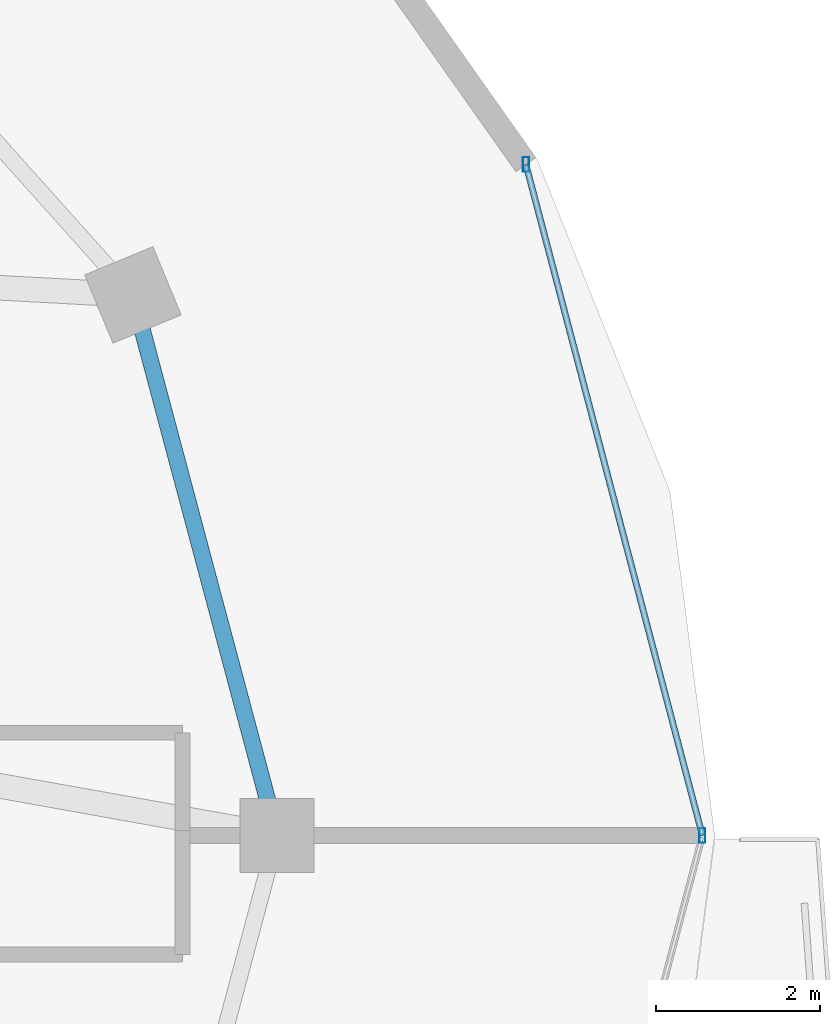
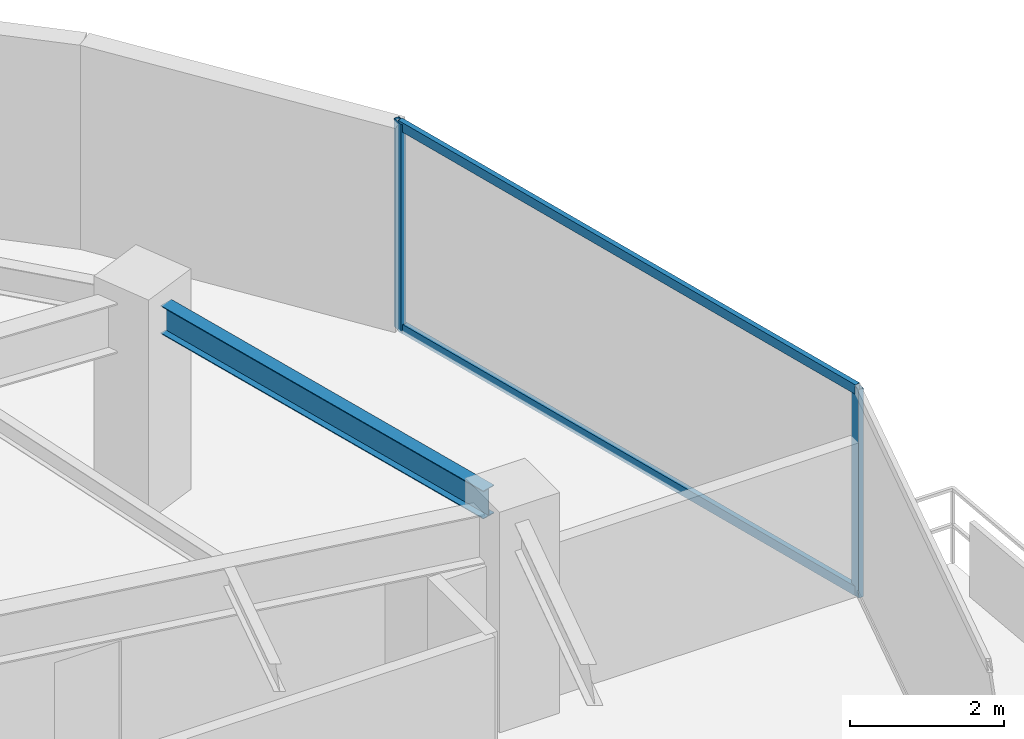
# One storey, part 15 of 31: 4 members, 1 beam, 1 element without a shape of its own.
"""IFC4 building model written with IfcOpenShell, lengths in metres."""

import ifcopenshell
import ifcopenshell.guid

model = None  # the IFC model being written
_history = None  # IfcOwnerHistory: only IFC2X3 demands one
_inside = {}  # id of a spatial element -> (the spatial element, [elements in it])
_under = {}  # id of a project, library or spatial element -> (it, [spatial elements below it])
_declared = {}  # id of a project -> (the project, [libraries it declares])
_typed = {}  # id of a type object -> (the type object, [elements of that type])
_made_of = {}  # id of a material, layer set ... -> (it, [elements and type objects made of it])


def new_model(schema):
    """Start an empty IFC model of exactly this schema.

    Asked for "IFC4X3", IfcOpenShell would pick the latest addendum, in which some entities
    have other attributes; the version numbers below select the first issue.
    IFC2X3 requires an IfcOwnerHistory on every rooted entity: one is made here for all.
    """
    global model, _history
    if schema == "IFC4X3":
        model = ifcopenshell.file(schema_version=(4, 3, 0, 0))
    else:
        model = ifcopenshell.file(schema=schema)
    _inside.clear()
    _under.clear()
    _declared.clear()
    _typed.clear()
    _made_of.clear()
    _history = None
    if model.schema == "IFC2X3":
        org = make("IfcOrganization", Name="unknown")
        user = make(
            "IfcPersonAndOrganization",
            ThePerson=make("IfcPerson", FamilyName="unknown"),
            TheOrganization=org,
        )
        app = make(
            "IfcApplication",
            ApplicationDeveloper=org,
            Version="unknown",
            ApplicationFullName="unknown",
            ApplicationIdentifier="unknown",
        )
        _history = make(
            "IfcOwnerHistory",
            OwningUser=user,
            OwningApplication=app,
            ChangeAction="ADDED",
            CreationDate=0,
        )
    return model


def make(cls, **values):
    """One entity of the class cls with the attributes given. An attribute that is None is left unset."""
    return model.create_entity(
        cls, **{name: value for name, value in values.items() if value is not None}
    )


def rooted(cls, **values):
    """An entity with a GlobalId (a new one), such as an element, a storey or a relation."""
    return make(cls, GlobalId=ifcopenshell.guid.new(), OwnerHistory=_history, **values)


def si_unit(unit_type, name, prefix=None):
    """IfcSIUnit, for example si_unit("LENGTHUNIT", "METRE", prefix="MILLI")."""
    return make("IfcSIUnit", UnitType=unit_type, Prefix=prefix, Name=name)


def assignment(units):
    """IfcUnitAssignment: the units of a project."""
    return None if units is None else make("IfcUnitAssignment", Units=units)


def point(xyz):
    """IfcCartesianPoint."""
    return None if xyz is None else make("IfcCartesianPoint", Coordinates=xyz)


def direction(xyz):
    """IfcDirection."""
    return None if xyz is None else make("IfcDirection", DirectionRatios=xyz)


def frame(location, z_axis=None, x_axis=None):
    """IfcAxis2Placement3D, a coordinate frame: its origin and axes. An axis left out is left unset."""
    return make(
        "IfcAxis2Placement3D",
        Location=point(location),
        Axis=direction(z_axis),
        RefDirection=direction(x_axis),
    )


def frame_2d(location, x_axis=None):
    """IfcAxis2Placement2D, a coordinate frame in the plane: its origin and x axis."""
    return make(
        "IfcAxis2Placement2D", Location=point(location), RefDirection=direction(x_axis)
    )


def origin():
    """The frame at (0, 0, 0) with its axes left unset."""
    return frame((0.0, 0.0, 0.0))


def origin_2d():
    """The frame at (0, 0) in the plane with its x axis left unset."""
    return frame_2d((0.0, 0.0))


def place(relative_to, where):
    """IfcLocalPlacement: puts the frame where relative to a parent placement (None: the world)."""
    return make(
        "IfcLocalPlacement", PlacementRelTo=relative_to, RelativePlacement=where
    )


def context(
    kind, dimensions, precision=None, world=None, true_north=None, identifier=None
):
    """IfcGeometricRepresentationContext, for example the 3D "Model" context."""
    return make(
        "IfcGeometricRepresentationContext",
        ContextIdentifier=identifier,
        ContextType=kind,
        CoordinateSpaceDimension=dimensions,
        Precision=precision,
        WorldCoordinateSystem=world,
        TrueNorth=true_north,
    )


def subcontext(parent, identifier, kind, view, scale=None):
    """IfcGeometricRepresentationSubContext, for example "Body" below "Model"."""
    return make(
        "IfcGeometricRepresentationSubContext",
        ContextIdentifier=identifier,
        ContextType=kind,
        ParentContext=parent,
        TargetScale=scale,
        TargetView=view,
    )


def project(units=None, contexts=None):
    """IfcProject with its units and contexts."""
    return rooted(
        "IfcProject",
        Name="project",
        RepresentationContexts=contexts,
        UnitsInContext=assignment(units),
    )


def spatial(cls, under=None, at=None, **own):
    """A site, building, storey or space (cls), placed at a placement, below another one or the project."""
    s = rooted(cls, ObjectPlacement=at, **own)
    if under is not None:
        _under.setdefault(under.id(), (under, []))[1].append(s)
    return s


def profile(cls, at=None, kind="AREA", **sizes):
    """A parametric profile (cls). Its sizes go by their IFC names, for example OverallWidth=200.0."""
    return make(cls, ProfileType=kind, Position=at, **sizes)


def hollow_rectangle(**sizes):
    """IfcRectangleHollowProfileDef."""
    return profile("IfcRectangleHollowProfileDef", **sizes)


def i_section(**sizes):
    """IfcIShapeProfileDef."""
    return profile("IfcIShapeProfileDef", **sizes)


def extrude(swept, where, along, depth):
    """IfcExtrudedAreaSolid: the profile swept, set in the frame where, extruded along a direction by depth."""
    return make(
        "IfcExtrudedAreaSolid",
        SweptArea=swept,
        Position=where,
        ExtrudedDirection=direction(along),
        Depth=depth,
    )


def shape(context_of_items, identifier, shape_type, items):
    """IfcShapeRepresentation: the items that make up one representation, for example the "Body"."""
    return make(
        "IfcShapeRepresentation",
        ContextOfItems=context_of_items,
        RepresentationIdentifier=identifier,
        RepresentationType=shape_type,
        Items=items,
    )


def material(Name=None, Category=None):
    """IfcMaterial."""
    return make("IfcMaterial", Name=Name, Category=Category)


def material_profile(
    of_material, cross_section, Name=None, Category=None, Priority=None
):
    """IfcMaterialProfile: a cross section and its material."""
    return make(
        "IfcMaterialProfile",
        Name=Name,
        Material=of_material,
        Profile=cross_section,
        Priority=Priority,
        Category=Category,
    )


def profile_set(profiles, Name=None, composite=None):
    """IfcMaterialProfileSet."""
    return make(
        "IfcMaterialProfileSet",
        Name=Name,
        MaterialProfiles=profiles,
        CompositeProfile=composite,
    )


def made_of(thing, what):
    """Note that an element or type object is made of a material, layer set ...; save() writes the relation."""
    if what is not None:
        _made_of.setdefault(what.id(), (what, []))[1].append(thing)
    return thing


def type_object(cls, material=None, **own):
    """A type object (cls), such as IfcWallType, which elements share."""
    return made_of(rooted(cls, **own), material)


def element(
    cls,
    number,
    at=None,
    inside=None,
    cuts=None,
    type_object=None,
    material=None,
    context=None,
    identifier="Body",
    shape_type=None,
    held_by="IfcProductDefinitionShape",
    body=None,
    shapes=None,
    **own,
):
    """One element of the class cls, such as IfcWall. Its Tag is "e" and its number.

    at: its placement. inside: the storey or other place that contains it. cuts: it is an
    opening in that element (IfcRelVoidsElement). A single representation is given by context,
    identifier, shape_type and body (its items); several are given by shapes. held_by: the class
    of the entity that holds the representations. save() writes the other relations.
    """
    e = rooted(cls, Tag="e%d" % number, ObjectPlacement=at, **own)
    if body is not None:
        shapes = [shape(context, identifier, shape_type, body)]
    if shapes is not None:
        e.Representation = make(held_by, Representations=shapes)
    if inside is not None:
        _inside.setdefault(inside.id(), (inside, []))[1].append(e)
    if cuts is not None:
        rooted(
            "IfcRelVoidsElement", RelatingBuildingElement=cuts, RelatedOpeningElement=e
        )
    if type_object is not None:
        _typed.setdefault(type_object.id(), (type_object, []))[1].append(e)
    return made_of(e, material)


def aggregate(whole, parts):
    """IfcRelAggregates: a whole, such as a stair, and the parts it consists of."""
    return rooted("IfcRelAggregates", RelatingObject=whole, RelatedObjects=parts)


def save(model, path):
    """Write the relations noted so far, then the file.

    IfcRelAggregates (storeys below a building ...), IfcRelContainedInSpatialStructure (elements
    in a storey), IfcRelDefinesByType, IfcRelAssociatesMaterial and IfcRelDeclares: one each for
    every whole, place, type object, material and project.
    """
    for whole, parts in _under.values():
        aggregate(whole, parts)
    for where, things in _inside.values():
        rooted(
            "IfcRelContainedInSpatialStructure",
            RelatedElements=things,
            RelatingStructure=where,
        )
    for kind, things in _typed.values():
        rooted("IfcRelDefinesByType", RelatedObjects=things, RelatingType=kind)
    for what, things in _made_of.values():
        rooted("IfcRelAssociatesMaterial", RelatedObjects=things, RelatingMaterial=what)
    for by, libraries in _declared.values():
        rooted("IfcRelDeclares", RelatingContext=by, RelatedDefinitions=libraries)
    model.write(path)


model = new_model("IFC4")

# Units and contexts
model_context = context("Model", 3, precision=1e-05, world=origin(), true_north=direction((0.0, 1.0)))
body_context = subcontext(model_context, "Body", "Model", "MODEL_VIEW")
ifc_project = project(units=[si_unit("LENGTHUNIT", "METRE"), si_unit("AREAUNIT", "SQUARE_METRE"), si_unit("VOLUMEUNIT", "CUBIC_METRE"), si_unit("PLANEANGLEUNIT", "RADIAN"), si_unit("MASSUNIT", "GRAM", prefix="KILO")], contexts=[model_context])

# Site, building, storey
site_placement = place(None, origin())
site = spatial("IfcSite", under=ifc_project, at=site_placement, CompositionType="ELEMENT")
building_placement = place(site_placement, origin())
building = spatial("IfcBuilding", under=site, at=building_placement, Name="Vorneva Point Tower", CompositionType="ELEMENT")
storey_placement = place(building_placement, frame((0.0, 0.0, 193.10009765625)))
storey = spatial("IfcBuildingStorey", under=building, at=storey_placement, Name="L52", CompositionType="ELEMENT", Elevation=193.10009765625)

# Beam
ifc_material_1 = material(Name="Steel S355", Category="steel")
ifc_material_profile_1 = material_profile(ifc_material_1, i_section(OverallWidth=0.198974609375, OverallDepth=0.446044921875, WebThickness=0.008056640625, FlangeThickness=0.011962890625, at=origin_2d()), Name="45B1")
ifc_profile_set_1 = profile_set([ifc_material_profile_1], Name="Steel S355")
beam_type = type_object("IfcBeamType", Name="BM-SPN-45B1", PredefinedType="SPANDREL", material=ifc_profile_set_1)
beam_placement = place(storey_placement, frame((60.93798828125, 26.42041015625, 3.016845703125), z_axis=(-0.257578258003, 0.966257440336, 0.0), x_axis=(-0.966257440336, -0.257578258003, 0.0)))
element("IfcBeam", 1, at=beam_placement, inside=storey, type_object=beam_type, Name="L52 Perimeter Spandrel Ring Beam 01", PredefinedType="SPANDREL", context=body_context, shape_type="SweptSolid", body=[
    extrude(i_section(OverallWidth=0.198974609375, OverallDepth=0.446044921875, WebThickness=0.008056640625, FlangeThickness=0.011962890625, at=origin_2d()), origin(), (0.0, 0.0, 1.0), 5.94189453125),
])

# Curtain wall, members
ifc_material_2 = material(Name="Pale anodised aluminium", Category="aluminium")
curtain_wall_type = type_object("IfcCurtainWallType", Name="CW-RES-SYS", PredefinedType="NOTDEFINED", material=ifc_material_2)
curtain_wall_placement = place(storey_placement, origin())
curtain_wall = element("IfcCurtainWall", 2, at=curtain_wall_placement, inside=storey, type_object=curtain_wall_type, Name="L52 Unitised Curtain Wall CW-L52-R01", PredefinedType="NOTDEFINED")
ifc_material_profile_2 = material_profile(ifc_material_2, hollow_rectangle(XDim=0.074951171875, YDim=0.179931640625, WallThickness=0.00390625, at=origin_2d()), Name="AL-MUL 180x75x4")
ifc_profile_set_2 = profile_set([ifc_material_profile_2], Name="Pale anodised aluminium")
member_type_1 = type_object("IfcMemberType", Name="CW-MUL-180", PredefinedType="MULLION", material=ifc_profile_set_2)
member_1_placement = place(storey_placement, frame((66.22998046875, 26.0, -0.0400390625), z_axis=(0.0, 0.0, 1.0), x_axis=(1.0, 0.0, 0.0)))
member_1 = element("IfcMember", 3, at=member_1_placement, type_object=member_type_1, Name="CW-L52-R01 Mullion 02", PredefinedType="MULLION", context=body_context, shape_type="SweptSolid", body=[
    extrude(hollow_rectangle(XDim=0.074951171875, YDim=0.179931640625, WallThickness=0.00390625, at=origin_2d()), origin(), (0.0, 0.0, 1.0), 3.31005859375),
])
member_2_placement = place(storey_placement, frame((64.0810546875, 34.17041015625, -0.0400390625), z_axis=(0.0, 0.0, 1.0), x_axis=(1.0, 0.0, 0.0)))
member_2 = element("IfcMember", 4, at=member_2_placement, type_object=member_type_1, Name="CW-L52-R01 Mullion 03", PredefinedType="MULLION", context=body_context, shape_type="SweptSolid", body=[
    extrude(hollow_rectangle(XDim=0.074951171875, YDim=0.179931640625, WallThickness=0.00390625, at=origin_2d()), origin(), (0.0, 0.0, 1.0), 3.31005859375),
])
ifc_material_profile_3 = material_profile(ifc_material_2, hollow_rectangle(XDim=0.074951171875, YDim=0.14990234375, WallThickness=0.00390625, at=origin_2d()), Name="AL-TRN 150x75x4")
ifc_profile_set_3 = profile_set([ifc_material_profile_3], Name="Pale anodised aluminium")
member_type_2 = type_object("IfcMemberType", Name="CW-TRN-150", PredefinedType="USERDEFINED", material=ifc_profile_set_3)
member_3_placement = place(storey_placement, frame((66.22998046875, 26.0, 0.02001953125), z_axis=(-0.254362431281, 0.967108966742, 0.0), x_axis=(-0.967108966742, -0.254362431281, 0.0)))
member_3 = element("IfcMember", 5, at=member_3_placement, type_object=member_type_2, Name="CW-L52-R01 Transom 02.1", ObjectType="TRANSOM", PredefinedType="USERDEFINED", context=body_context, shape_type="SweptSolid", body=[
    extrude(hollow_rectangle(XDim=0.074951171875, YDim=0.14990234375, WallThickness=0.00390625, at=origin_2d()), origin(), (0.0, 0.0, 1.0), 8.4482421875),
])
member_4_placement = place(storey_placement, frame((66.22998046875, 26.0, 3.219970703125), z_axis=(-0.254362431281, 0.967108966742, 0.0), x_axis=(-0.967108966742, -0.254362431281, 0.0)))
member_4 = element("IfcMember", 6, at=member_4_placement, type_object=member_type_2, Name="CW-L52-R01 Transom 02.2", ObjectType="TRANSOM", PredefinedType="USERDEFINED", context=body_context, shape_type="SweptSolid", body=[
    extrude(hollow_rectangle(XDim=0.074951171875, YDim=0.14990234375, WallThickness=0.00390625, at=origin_2d()), origin(), (0.0, 0.0, 1.0), 8.4482421875),
])
aggregate(curtain_wall, [member_1, member_2, member_3, member_4])

save(model, "model.ifc")
